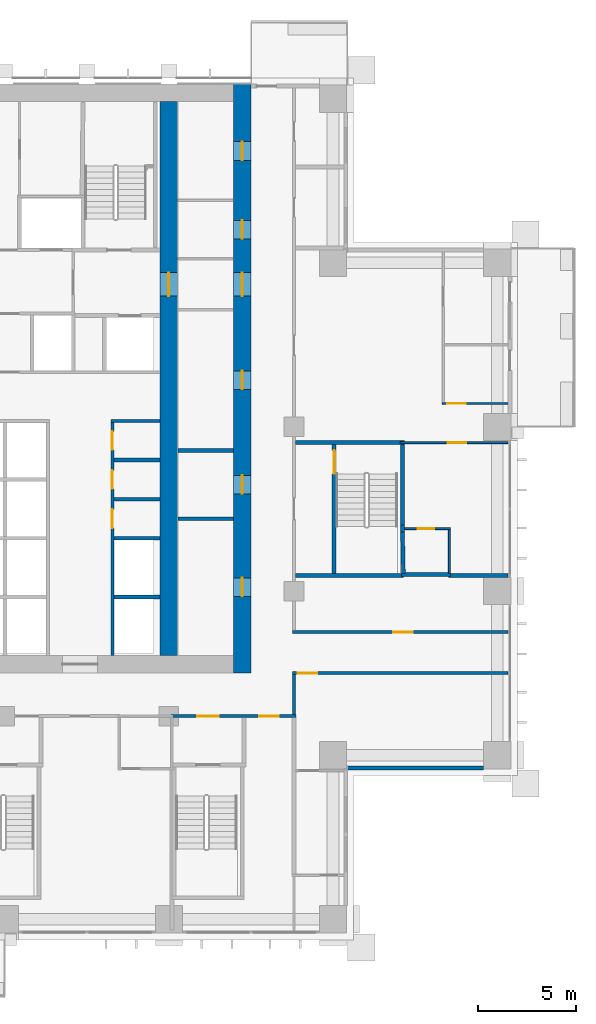
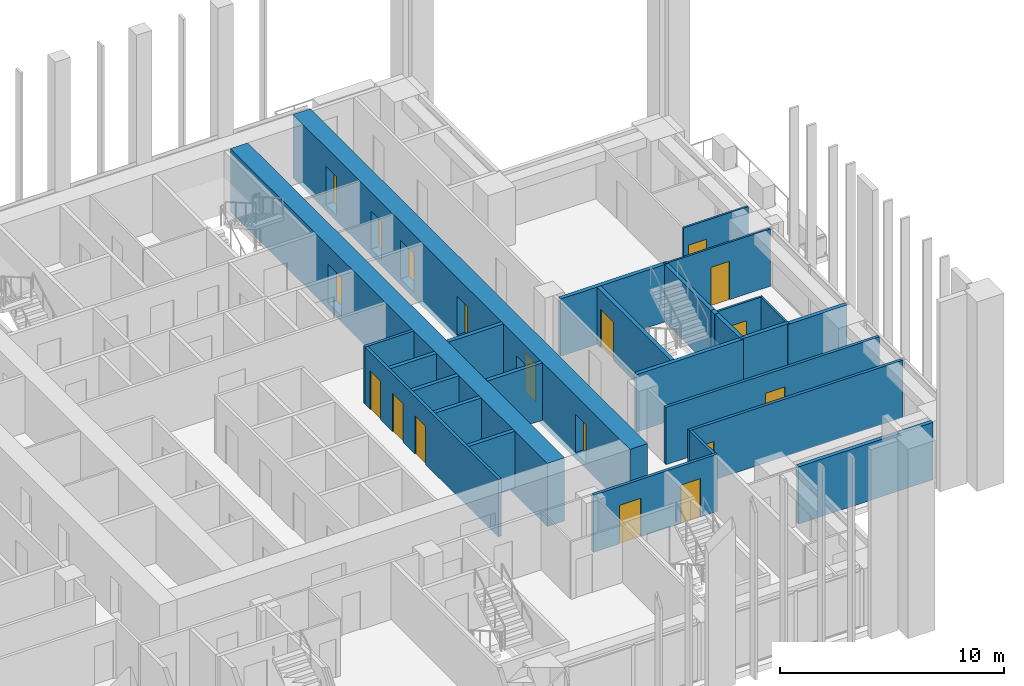
# One storey, part 9 of 17: 27 walls, 18 doors, 18 openings.
"""IFC4 building model written with IfcOpenShell, lengths in metres."""

from ifc_helpers import new_model, si_unit, direction, frame, frame_2d, origin, place, context, subcontext, project, spatial, rectangle, extrude, material, layer, layer_set, type_object, element, fill, save


model = new_model("IFC4")

# Units and contexts
model_context = context("Model", 3, precision=1e-05, world=origin(), true_north=direction((0.0, 1.0)))
body_context = subcontext(model_context, "Body", "Model", "MODEL_VIEW")
ifc_project = project(units=[si_unit("LENGTHUNIT", "METRE"), si_unit("AREAUNIT", "SQUARE_METRE"), si_unit("VOLUMEUNIT", "CUBIC_METRE"), si_unit("PLANEANGLEUNIT", "RADIAN"), si_unit("MASSUNIT", "GRAM", prefix="KILO")], contexts=[model_context])

# Site, building, storey
site_placement = place(None, origin())
site = spatial("IfcSite", under=ifc_project, at=site_placement, CompositionType="ELEMENT")
building_placement = place(site_placement, origin())
building = spatial("IfcBuilding", under=site, at=building_placement, Name="Vermilion Ogive Tower", CompositionType="ELEMENT")
storey_placement = place(building_placement, frame((0.0, 0.0, 37.949951171875)))
storey = spatial("IfcBuildingStorey", under=building, at=storey_placement, Name="L07", CompositionType="ELEMENT", Elevation=37.949951171875)

# Wall, openings, doors
ifc_material_1 = material(Name="Concrete B80", Category="concrete")
ifc_layer_1 = layer(ifc_material_1, 0.89990234375)
ifc_layer_set_1 = layer_set([ifc_layer_1], Name="Core wall 900 B80")
wall_type_1 = type_object("IfcWallType", Name="Core wall 900 B80", PredefinedType="SHEAR", material=ifc_layer_set_1)
wall_1_placement = place(storey_placement, frame((12.14990234375, -8.39990234375, -0.320068359375), z_axis=(0.0, 0.0, 1.0), x_axis=(0.0, 1.0, 0.0)))
wall_1 = element("IfcWall", 1, at=wall_1_placement, inside=storey, type_object=wall_type_1, Name="L07-CORE-E", PredefinedType="SHEAR", context=body_context, shape_type="SweptSolid", body=[
    extrude(rectangle(XDim=30.14990234375, YDim=0.89990234375, at=frame_2d((15.074951171875, 0.0))), origin(), (0.0, 0.0, 1.0), 3.4501953125),
])
opening_1_placement = place(wall_1_placement, frame((3.925048828125, 0.0, 0.320068359375)))
opening_1 = element("IfcOpeningElement", 2, at=opening_1_placement, cuts=wall_1, Name="Opening DAC007", PredefinedType="OPENING", context=body_context, shape_type="SweptSolid", body=[
    extrude(rectangle(XDim=0.949951171875, YDim=2.10009765625, at=frame_2d((0.47509765625, 1.050048828125))), frame((0.0, 0.4599609375, 0.0), z_axis=(0.0, -1.0, 0.0), x_axis=(1.0, 0.0, 0.0)), (0.0, 0.0, 1.0), 0.919921875),
])
opening_2_placement = place(wall_1_placement, frame((9.175048828125, 0.0, 0.320068359375)))
opening_2 = element("IfcOpeningElement", 3, at=opening_2_placement, cuts=wall_1, Name="Opening DAC008", PredefinedType="OPENING", context=body_context, shape_type="SweptSolid", body=[
    extrude(rectangle(XDim=0.949951171875, YDim=2.10009765625, at=frame_2d((0.47509765625, 1.050048828125))), frame((0.0, 0.4599609375, 0.0), z_axis=(0.0, -1.0, 0.0), x_axis=(1.0, 0.0, 0.0)), (0.0, 0.0, 1.0), 0.919921875),
])
opening_3_placement = place(wall_1_placement, frame((14.52490234375, 0.0, 0.320068359375)))
opening_3 = element("IfcOpeningElement", 4, at=opening_3_placement, cuts=wall_1, Name="Opening DAC009", PredefinedType="OPENING", context=body_context, shape_type="SweptSolid", body=[
    extrude(rectangle(XDim=0.949951171875, YDim=2.10009765625, at=frame_2d((0.47509765625, 1.050048828125))), frame((0.0, 0.4599609375, 0.0), z_axis=(0.0, -1.0, 0.0), x_axis=(1.0, 0.0, 0.0)), (0.0, 0.0, 1.0), 0.919921875),
])
opening_4_placement = place(wall_1_placement, frame((22.22509765625, 0.0, 0.320068359375)))
opening_4 = element("IfcOpeningElement", 5, at=opening_4_placement, cuts=wall_1, Name="Opening DAC010", PredefinedType="OPENING", context=body_context, shape_type="SweptSolid", body=[
    extrude(rectangle(XDim=0.949951171875, YDim=2.10009765625, at=frame_2d((0.47509765625, 1.050048828125))), frame((0.0, 0.4599609375, 0.0), z_axis=(0.0, -1.0, 0.0), x_axis=(1.0, 0.0, 0.0)), (0.0, 0.0, 1.0), 0.919921875),
])
opening_5_placement = place(wall_1_placement, frame((26.25, 0.0, 0.320068359375)))
opening_5 = element("IfcOpeningElement", 6, at=opening_5_placement, cuts=wall_1, Name="Opening DAC011", PredefinedType="OPENING", context=body_context, shape_type="SweptSolid", body=[
    extrude(rectangle(XDim=0.949951171875, YDim=2.10009765625, at=frame_2d((0.47509765625, 1.050048828125))), frame((0.0, 0.4599609375, 0.0), z_axis=(0.0, -1.0, 0.0), x_axis=(1.0, 0.0, 0.0)), (0.0, 0.0, 1.0), 0.919921875),
])
opening_6_placement = place(wall_1_placement, frame((19.300048828125, 0.0, 0.320068359375)))
opening_6 = element("IfcOpeningElement", 7, at=opening_6_placement, cuts=wall_1, Name="Opening DAL002", PredefinedType="OPENING", context=body_context, shape_type="SweptSolid", body=[
    extrude(rectangle(XDim=1.199951171875, YDim=2.10009765625, at=frame_2d((0.60009765625, 1.050048828125))), frame((0.0, 0.4599609375, 0.0), z_axis=(0.0, -1.0, 0.0), x_axis=(1.0, 0.0, 0.0)), (0.0, 0.0, 1.0), 0.919921875),
])
ifc_material_2 = material(Name="Timber door leaf", Category="wood")
door_type_1 = type_object("IfcDoorType", Name="Link door 1200 x 2100 FD60S", OperationType="SINGLE_SWING_LEFT", PredefinedType="DOOR", material=ifc_material_2)
door_1_placement = place(opening_6_placement, origin())
door_1 = element("IfcDoor", 8, at=door_1_placement, inside=storey, type_object=door_type_1, Name="L07-CKE-XL", OperationType="SINGLE_SWING_LEFT", OverallHeight=2.10009765625, OverallWidth=1.199951171875, PredefinedType="DOOR", context=body_context, shape_type="SweptSolid", body=[
    extrude(rectangle(XDim=1.199951171875, YDim=2.10009765625, at=frame_2d((0.60009765625, 1.050048828125))), frame((0.0, 0.02490234375, 0.0), z_axis=(0.0, -1.0, 0.0), x_axis=(1.0, 0.0, 0.0)), (0.0, 0.0, 1.0), 0.050048828125),
])
fill(opening_6, door_1)
ifc_material_3 = material(Name="Timber door leaf", Category="wood")
door_type_2 = type_object("IfcDoorType", Name="Service door 950 x 2100 FD60", OperationType="SINGLE_SWING_LEFT", PredefinedType="DOOR", material=ifc_material_3)
door_2_placement = place(opening_1_placement, origin())
door_2 = element("IfcDoor", 9, at=door_2_placement, inside=storey, type_object=door_type_2, Name="L07-CKE-XR0", OperationType="SINGLE_SWING_LEFT", OverallHeight=2.10009765625, OverallWidth=0.949951171875, PredefinedType="DOOR", context=body_context, shape_type="SweptSolid", body=[
    extrude(rectangle(XDim=0.949951171875, YDim=2.10009765625, at=frame_2d((0.47509765625, 1.050048828125))), frame((0.0, 0.02490234375, 0.0), z_axis=(0.0, -1.0, 0.0), x_axis=(1.0, 0.0, 0.0)), (0.0, 0.0, 1.0), 0.050048828125),
])
fill(opening_1, door_2)
door_3_placement = place(opening_2_placement, origin())
door_3 = element("IfcDoor", 10, at=door_3_placement, inside=storey, type_object=door_type_2, Name="L07-CKE-XR1", OperationType="SINGLE_SWING_LEFT", OverallHeight=2.10009765625, OverallWidth=0.949951171875, PredefinedType="DOOR", context=body_context, shape_type="SweptSolid", body=[
    extrude(rectangle(XDim=0.949951171875, YDim=2.10009765625, at=frame_2d((0.47509765625, 1.050048828125))), frame((0.0, 0.02490234375, 0.0), z_axis=(0.0, -1.0, 0.0), x_axis=(1.0, 0.0, 0.0)), (0.0, 0.0, 1.0), 0.050048828125),
])
fill(opening_2, door_3)
door_4_placement = place(opening_3_placement, origin())
door_4 = element("IfcDoor", 11, at=door_4_placement, inside=storey, type_object=door_type_2, Name="L07-CKE-XR2", OperationType="SINGLE_SWING_LEFT", OverallHeight=2.10009765625, OverallWidth=0.949951171875, PredefinedType="DOOR", context=body_context, shape_type="SweptSolid", body=[
    extrude(rectangle(XDim=0.949951171875, YDim=2.10009765625, at=frame_2d((0.47509765625, 1.050048828125))), frame((0.0, 0.02490234375, 0.0), z_axis=(0.0, -1.0, 0.0), x_axis=(1.0, 0.0, 0.0)), (0.0, 0.0, 1.0), 0.050048828125),
])
fill(opening_3, door_4)
door_5_placement = place(opening_4_placement, origin())
door_5 = element("IfcDoor", 12, at=door_5_placement, inside=storey, type_object=door_type_2, Name="L07-CKE-XR3", OperationType="SINGLE_SWING_LEFT", OverallHeight=2.10009765625, OverallWidth=0.949951171875, PredefinedType="DOOR", context=body_context, shape_type="SweptSolid", body=[
    extrude(rectangle(XDim=0.949951171875, YDim=2.10009765625, at=frame_2d((0.47509765625, 1.050048828125))), frame((0.0, 0.02490234375, 0.0), z_axis=(0.0, -1.0, 0.0), x_axis=(1.0, 0.0, 0.0)), (0.0, 0.0, 1.0), 0.050048828125),
])
fill(opening_4, door_5)
door_6_placement = place(opening_5_placement, origin())
door_6 = element("IfcDoor", 13, at=door_6_placement, inside=storey, type_object=door_type_2, Name="L07-CKE-XR4", OperationType="SINGLE_SWING_LEFT", OverallHeight=2.10009765625, OverallWidth=0.949951171875, PredefinedType="DOOR", context=body_context, shape_type="SweptSolid", body=[
    extrude(rectangle(XDim=0.949951171875, YDim=2.10009765625, at=frame_2d((0.47509765625, 1.050048828125))), frame((0.0, 0.02490234375, 0.0), z_axis=(0.0, -1.0, 0.0), x_axis=(1.0, 0.0, 0.0)), (0.0, 0.0, 1.0), 0.050048828125),
])
fill(opening_5, door_6)

# Wall, opening, door
wall_2_placement = place(storey_placement, frame((8.39990234375, -7.5, -0.320068359375), z_axis=(0.0, 0.0, 1.0), x_axis=(0.0, 1.0, 0.0)))
wall_2 = element("IfcWall", 14, at=wall_2_placement, inside=storey, type_object=wall_type_1, Name="L07-CORE-WEB2", PredefinedType="SHEAR", context=body_context, shape_type="SweptSolid", body=[
    extrude(rectangle(XDim=28.35009765625, YDim=0.89990234375, at=frame_2d((14.175048828125, 0.0))), origin(), (0.0, 0.0, 1.0), 3.4501953125),
])
opening_7_placement = place(wall_2_placement, frame((18.39990234375, 0.0, 0.320068359375)))
opening_7 = element("IfcOpeningElement", 15, at=opening_7_placement, cuts=wall_2, Name="Opening DAO002", PredefinedType="OPENING", context=body_context, shape_type="SweptSolid", body=[
    extrude(rectangle(XDim=1.199951171875, YDim=2.10009765625, at=frame_2d((0.60009765625, 1.050048828125))), frame((0.0, 0.4599609375, 0.0), z_axis=(0.0, -1.0, 0.0), x_axis=(1.0, 0.0, 0.0)), (0.0, 0.0, 1.0), 0.919921875),
])
door_7_placement = place(opening_7_placement, origin())
door_7 = element("IfcDoor", 16, at=door_7_placement, inside=storey, type_object=door_type_1, Name="L07-CKE-XW", OperationType="SINGLE_SWING_LEFT", OverallHeight=2.10009765625, OverallWidth=1.199951171875, PredefinedType="DOOR", context=body_context, shape_type="SweptSolid", body=[
    extrude(rectangle(XDim=1.199951171875, YDim=2.10009765625, at=frame_2d((0.60009765625, 1.050048828125))), frame((0.0, 0.02490234375, 0.0), z_axis=(0.0, -1.0, 0.0), x_axis=(1.0, 0.0, 0.0)), (0.0, 0.0, 1.0), 0.050048828125),
])
fill(opening_7, door_7)

ifc_material_4 = material(Name="Gypsum board partition on steel studs", Category="steel")
ifc_layer_2 = layer(ifc_material_4, 0.10009765625)
ifc_layer_set_2 = layer_set([ifc_layer_2], Name="Partition 100 bath")
wall_type_2 = type_object("IfcWallType", Name="Partition 100 bath", PredefinedType="PARTITIONING", material=ifc_layer_set_2)
wall_3_placement = place(storey_placement, frame((20.449951171875, -1.0, 0.0), z_axis=(0.0, 0.0, 1.0), x_axis=(1.0, 0.0, 0.0)))
wall_3 = element("IfcWall", 17, at=wall_3_placement, inside=storey, type_object=wall_type_2, Name="L07-W-W027", PredefinedType="PARTITIONING", context=body_context, shape_type="SweptSolid", body=[
    extrude(rectangle(XDim=2.35009765625, YDim=0.10009765625, at=frame_2d((1.175048828125, 0.0))), origin(), (0.0, 0.0, 1.0), 3.130126953125),
])
opening_8_placement = place(wall_3_placement, frame((0.675048828125, 0.0, 0.0)))
opening_8 = element("IfcOpeningElement", 18, at=opening_8_placement, cuts=wall_3, Name="Opening D1G2022", PredefinedType="OPENING", context=body_context, shape_type="SweptSolid", body=[
    extrude(rectangle(XDim=0.85009765625, YDim=2.10009765625, at=frame_2d((0.425048828125, 1.050048828125))), frame((0.0, 0.06005859375, 0.0), z_axis=(0.0, -1.0, 0.0), x_axis=(1.0, 0.0, 0.0)), (0.0, 0.0, 1.0), 0.1201171875),
])
ifc_material_5 = material(Name="Timber door leaf", Category="wood")
door_type_3 = type_object("IfcDoorType", Name="Bath door 850 x 2100 FD30", OperationType="SINGLE_SWING_LEFT", PredefinedType="DOOR", material=ifc_material_5)
door_8_placement = place(opening_8_placement, origin())
door_8 = element("IfcDoor", 19, at=door_8_placement, inside=storey, type_object=door_type_3, Name="L07-D-D022", OperationType="SINGLE_SWING_RIGHT", OverallHeight=2.10009765625, OverallWidth=0.85009765625, PredefinedType="DOOR", context=body_context, shape_type="SweptSolid", body=[
    extrude(rectangle(XDim=0.85009765625, YDim=2.10009765625, at=frame_2d((0.425048828125, 1.050048828125))), frame((0.0, 0.02490234375, 0.0), z_axis=(0.0, -1.0, 0.0), x_axis=(1.0, 0.0, 0.0)), (0.0, 0.0, 1.0), 0.050048828125),
])
fill(opening_8, door_8)

# Wall
wall_4_placement = place(storey_placement, frame((22.75, -3.300048828125, 0.0), z_axis=(0.0, 0.0, 1.0), x_axis=(0.0, 1.0, 0.0)))
element("IfcWall", 20, at=wall_4_placement, inside=storey, type_object=wall_type_2, Name="L07-W-W073", PredefinedType="PARTITIONING", context=body_context, shape_type="SweptSolid", body=[
    extrude(rectangle(XDim=2.25, YDim=0.10009765625, at=frame_2d((1.125, 0.0))), origin(), (0.0, 0.0, 1.0), 3.130126953125),
])

# Wall, opening, door
ifc_material_6 = material(Name="Gypsum board partition on steel studs", Category="steel")
ifc_layer_3 = layer(ifc_material_6, 0.10009765625)
ifc_layer_set_3 = layer_set([ifc_layer_3], Name="Partition 100 inner")
wall_type_3 = type_object("IfcWallType", Name="Partition 100 inner", PredefinedType="PARTITIONING", material=ifc_layer_set_3)
wall_5_placement = place(storey_placement, frame((20.25, 3.39990234375, 0.0), z_axis=(0.0, 0.0, 1.0), x_axis=(1.0, 0.0, 0.0)))
wall_5 = element("IfcWall", 21, at=wall_5_placement, inside=storey, type_object=wall_type_3, Name="L07-W-W032", PredefinedType="PARTITIONING", context=body_context, shape_type="SweptSolid", body=[
    extrude(rectangle(XDim=5.5, YDim=0.10009765625, at=frame_2d((2.75, 0.0))), origin(), (0.0, 0.0, 1.0), 3.130126953125),
])
opening_9_placement = place(wall_5_placement, frame((2.425048828125, 0.0, 0.0)))
opening_9 = element("IfcOpeningElement", 22, at=opening_9_placement, cuts=wall_5, Name="Opening D1G2021", PredefinedType="OPENING", context=body_context, shape_type="SweptSolid", body=[
    extrude(rectangle(XDim=0.949951171875, YDim=2.10009765625, at=frame_2d((0.47509765625, 1.050048828125))), frame((0.0, 0.06005859375, 0.0), z_axis=(0.0, -1.0, 0.0), x_axis=(1.0, 0.0, 0.0)), (0.0, 0.0, 1.0), 0.1201171875),
])
ifc_material_7 = material(Name="Timber door leaf", Category="wood")
door_type_4 = type_object("IfcDoorType", Name="Inner door 950 x 2100 FD30", OperationType="SINGLE_SWING_LEFT", PredefinedType="DOOR", material=ifc_material_7)
door_9_placement = place(opening_9_placement, origin())
door_9 = element("IfcDoor", 23, at=door_9_placement, inside=storey, type_object=door_type_4, Name="L07-D-D021", OperationType="SINGLE_SWING_LEFT", OverallHeight=2.10009765625, OverallWidth=0.949951171875, PredefinedType="DOOR", context=body_context, shape_type="SweptSolid", body=[
    extrude(rectangle(XDim=0.949951171875, YDim=2.10009765625, at=frame_2d((0.47509765625, 1.050048828125))), frame((0.0, 0.02490234375, 0.0), z_axis=(0.0, -1.0, 0.0), x_axis=(1.0, 0.0, 0.0)), (0.0, 0.0, 1.0), 0.050048828125),
])
fill(opening_9, door_9)

wall_6_placement = place(storey_placement, frame((22.39990234375, 5.39990234375, 0.0), z_axis=(0.0, 0.0, 1.0), x_axis=(1.0, 0.0, 0.0)))
wall_6 = element("IfcWall", 24, at=wall_6_placement, inside=storey, type_object=wall_type_3, Name="L07-W-W034", PredefinedType="PARTITIONING", context=body_context, shape_type="SweptSolid", body=[
    extrude(rectangle(XDim=3.35009765625, YDim=0.10009765625, at=frame_2d((1.675048828125, 0.0))), origin(), (0.0, 0.0, 1.0), 3.130126953125),
])
opening_10_placement = place(wall_6_placement, frame((0.25, 0.0, 0.0)))
opening_10 = element("IfcOpeningElement", 25, at=opening_10_placement, cuts=wall_6, Name="Opening D1G2018", PredefinedType="OPENING", context=body_context, shape_type="SweptSolid", body=[
    extrude(rectangle(XDim=0.949951171875, YDim=2.10009765625, at=frame_2d((0.47509765625, 1.050048828125))), frame((0.0, 0.06005859375, 0.0), z_axis=(0.0, -1.0, 0.0), x_axis=(1.0, 0.0, 0.0)), (0.0, 0.0, 1.0), 0.1201171875),
])
door_10_placement = place(opening_10_placement, origin())
door_10 = element("IfcDoor", 26, at=door_10_placement, inside=storey, type_object=door_type_4, Name="L07-D-D018", OperationType="SINGLE_SWING_LEFT", OverallHeight=2.10009765625, OverallWidth=0.949951171875, PredefinedType="DOOR", context=body_context, shape_type="SweptSolid", body=[
    extrude(rectangle(XDim=0.949951171875, YDim=2.10009765625, at=frame_2d((0.47509765625, 1.050048828125))), frame((0.0, 0.02490234375, 0.0), z_axis=(0.0, -1.0, 0.0), x_axis=(1.0, 0.0, 0.0)), (0.0, 0.0, 1.0), 0.050048828125),
])
fill(opening_10, door_10)

# Wall, openings, doors
ifc_material_8 = material(Name="Gypsum board partition on steel studs", Category="steel")
ifc_layer_4 = layer(ifc_material_8, 0.14990234375)
ifc_layer_set_4 = layer_set([ifc_layer_4], Name="Partition 150 corridor")
wall_type_4 = type_object("IfcWallType", Name="Partition 150 corridor", PredefinedType="PARTITIONING", material=ifc_layer_set_4)
wall_7_placement = place(storey_placement, frame((8.5, -10.60009765625, 0.0), z_axis=(0.0, 0.0, 1.0), x_axis=(1.0, 0.0, 0.0)))
wall_7 = element("IfcWall", 27, at=wall_7_placement, inside=storey, type_object=wall_type_4, Name="L07-W-W017", PredefinedType="PARTITIONING", context=body_context, shape_type="SweptSolid", body=[
    extrude(rectangle(XDim=6.39990234375, YDim=0.14990234375, at=frame_2d((3.199951171875, 0.0))), origin(), (0.0, 0.0, 1.0), 3.130126953125),
])
opening_11_placement = place(wall_7_placement, frame((1.35009765625, 0.0, 0.0)))
opening_11 = element("IfcOpeningElement", 28, at=opening_11_placement, cuts=wall_7, Name="Opening D1G2029", PredefinedType="OPENING", context=body_context, shape_type="SweptSolid", body=[
    extrude(rectangle(XDim=1.10009765625, YDim=2.10009765625, at=frame_2d((0.550048828125, 1.050048828125))), frame((0.0, 0.0849609375, 0.0), z_axis=(0.0, -1.0, 0.0), x_axis=(1.0, 0.0, 0.0)), (0.0, 0.0, 1.0), 0.169921875),
])
opening_12_placement = place(wall_7_placement, frame((4.52490234375, 0.0, 0.0)))
opening_12 = element("IfcOpeningElement", 29, at=opening_12_placement, cuts=wall_7, Name="Opening D1G2036", PredefinedType="OPENING", context=body_context, shape_type="SweptSolid", body=[
    extrude(rectangle(XDim=1.0, YDim=2.10009765625, at=frame_2d((0.5, 1.050048828125))), frame((0.0, 0.0849609375, 0.0), z_axis=(0.0, -1.0, 0.0), x_axis=(1.0, 0.0, 0.0)), (0.0, 0.0, 1.0), 0.169921875),
])
ifc_material_9 = material(Name="Timber door leaf", Category="wood")
door_type_5 = type_object("IfcDoorType", Name="Stair door 1100 x 2100 FD60S", OperationType="SINGLE_SWING_LEFT", PredefinedType="DOOR", material=ifc_material_9)
door_11_placement = place(opening_11_placement, origin())
door_11 = element("IfcDoor", 30, at=door_11_placement, inside=storey, type_object=door_type_5, Name="L07-D-D029", OperationType="SINGLE_SWING_RIGHT", OverallHeight=2.10009765625, OverallWidth=1.10009765625, PredefinedType="DOOR", context=body_context, shape_type="SweptSolid", body=[
    extrude(rectangle(XDim=1.10009765625, YDim=2.10009765625, at=frame_2d((0.550048828125, 1.050048828125))), frame((0.0, 0.02490234375, 0.0), z_axis=(0.0, -1.0, 0.0), x_axis=(1.0, 0.0, 0.0)), (0.0, 0.0, 1.0), 0.050048828125),
])
fill(opening_11, door_11)
ifc_material_10 = material(Name="Timber door leaf", Category="wood")
door_type_6 = type_object("IfcDoorType", Name="Unit door 1000 x 2100 FD30S", OperationType="SINGLE_SWING_LEFT", PredefinedType="DOOR", material=ifc_material_10)
door_12_placement = place(opening_12_placement, origin())
door_12 = element("IfcDoor", 31, at=door_12_placement, inside=storey, type_object=door_type_6, Name="L07-D-D036", OperationType="SINGLE_SWING_RIGHT", OverallHeight=2.10009765625, OverallWidth=1.0, PredefinedType="DOOR", context=body_context, shape_type="SweptSolid", body=[
    extrude(rectangle(XDim=1.0, YDim=2.10009765625, at=frame_2d((0.5, 1.050048828125))), frame((0.0, 0.02490234375, 0.0), z_axis=(0.0, -1.0, 0.0), x_axis=(1.0, 0.0, 0.0)), (0.0, 0.0, 1.0), 0.050048828125),
])
fill(opening_12, door_12)

# Wall, opening, door
wall_8_placement = place(storey_placement, frame((14.72509765625, -8.39990234375, 0.0), z_axis=(0.0, 0.0, 1.0), x_axis=(1.0, 0.0, 0.0)))
wall_8 = element("IfcWall", 32, at=wall_8_placement, inside=storey, type_object=wall_type_4, Name="L07-W-W019", PredefinedType="PARTITIONING", context=body_context, shape_type="SweptSolid", body=[
    extrude(rectangle(XDim=11.02490234375, YDim=0.14990234375, at=frame_2d((5.512451171875, 0.0))), origin(), (0.0, 0.0, 1.0), 3.130126953125),
])
opening_13_placement = place(wall_8_placement, frame((0.27490234375, 0.0, 0.0)))
opening_13 = element("IfcOpeningElement", 33, at=opening_13_placement, cuts=wall_8, Name="Opening D1G2015", PredefinedType="OPENING", context=body_context, shape_type="SweptSolid", body=[
    extrude(rectangle(XDim=1.0, YDim=2.10009765625, at=frame_2d((0.5, 1.050048828125))), frame((0.0, 0.0849609375, 0.0), z_axis=(0.0, -1.0, 0.0), x_axis=(1.0, 0.0, 0.0)), (0.0, 0.0, 1.0), 0.169921875),
])
door_13_placement = place(opening_13_placement, origin())
door_13 = element("IfcDoor", 34, at=door_13_placement, inside=storey, type_object=door_type_6, Name="L07-D-D015", OperationType="SINGLE_SWING_RIGHT", OverallHeight=2.10009765625, OverallWidth=1.0, PredefinedType="DOOR", context=body_context, shape_type="SweptSolid", body=[
    extrude(rectangle(XDim=1.0, YDim=2.10009765625, at=frame_2d((0.5, 1.050048828125))), frame((0.0, 0.02490234375, 0.0), z_axis=(0.0, -1.0, 0.0), x_axis=(1.0, 0.0, 0.0)), (0.0, 0.0, 1.0), 0.050048828125),
])
fill(opening_13, door_13)

wall_9_placement = place(storey_placement, frame((14.72509765625, -6.300048828125, 0.0), z_axis=(0.0, 0.0, 1.0), x_axis=(1.0, 0.0, 0.0)))
wall_9 = element("IfcWall", 35, at=wall_9_placement, inside=storey, type_object=wall_type_4, Name="L07-W-W021", PredefinedType="PARTITIONING", context=body_context, shape_type="SweptSolid", body=[
    extrude(rectangle(XDim=11.02490234375, YDim=0.14990234375, at=frame_2d((5.512451171875, 0.0))), origin(), (0.0, 0.0, 1.0), 3.130126953125),
])
opening_14_placement = place(wall_9_placement, frame((5.14990234375, 0.0, 0.0)))
opening_14 = element("IfcOpeningElement", 36, at=opening_14_placement, cuts=wall_9, Name="Opening D1G2038", PredefinedType="OPENING", context=body_context, shape_type="SweptSolid", body=[
    extrude(rectangle(XDim=1.0, YDim=2.10009765625, at=frame_2d((0.5, 1.050048828125))), frame((0.0, 0.0849609375, 0.0), z_axis=(0.0, -1.0, 0.0), x_axis=(1.0, 0.0, 0.0)), (0.0, 0.0, 1.0), 0.169921875),
])
door_14_placement = place(opening_14_placement, origin())
door_14 = element("IfcDoor", 37, at=door_14_placement, inside=storey, type_object=door_type_6, Name="L07-D-D038", OperationType="SINGLE_SWING_RIGHT", OverallHeight=2.10009765625, OverallWidth=1.0, PredefinedType="DOOR", context=body_context, shape_type="SweptSolid", body=[
    extrude(rectangle(XDim=1.0, YDim=2.10009765625, at=frame_2d((0.5, 1.050048828125))), frame((0.0, 0.02490234375, 0.0), z_axis=(0.0, -1.0, 0.0), x_axis=(1.0, 0.0, 0.0)), (0.0, 0.0, 1.0), 0.050048828125),
])
fill(opening_14, door_14)

# Walls
wall_10_placement = place(storey_placement, frame((14.800048828125, -10.52490234375, 0.0), z_axis=(0.0, 0.0, 1.0), x_axis=(0.0, 1.0, 0.0)))
element("IfcWall", 38, at=wall_10_placement, inside=storey, type_object=wall_type_4, Name="L07-W-W067", PredefinedType="PARTITIONING", context=body_context, shape_type="SweptSolid", body=[
    extrude(rectangle(XDim=2.0498046875, YDim=0.14990234375, at=frame_2d((1.02490234375, 0.0))), origin(), (0.0, 0.0, 1.0), 3.130126953125),
])
wall_11_placement = place(storey_placement, frame((5.425048828125, 4.5, 0.0), z_axis=(0.0, 0.0, 1.0), x_axis=(1.0, 0.0, 0.0)))
element("IfcWall", 39, at=wall_11_placement, inside=storey, type_object=wall_type_4, Name="L07-CK-W-W013", PredefinedType="PARTITIONING", context=body_context, shape_type="SweptSolid", body=[
    extrude(rectangle(XDim=2.52392578125, YDim=0.14990234375, at=frame_2d((1.261962890625, 0.0))), origin(), (0.0, 0.0, 1.0), 3.130126953125),
])

# Wall, openings, doors
wall_12_placement = place(storey_placement, frame((5.5, -7.4990234375, 0.0), z_axis=(0.0, 0.0, 1.0), x_axis=(0.0, 1.0, 0.0)))
wall_12 = element("IfcWall", 40, at=wall_12_placement, inside=storey, type_object=wall_type_4, Name="L07-CK-W-W041", PredefinedType="PARTITIONING", context=body_context, shape_type="SweptSolid", body=[
    extrude(rectangle(XDim=11.924072265625, YDim=0.14990234375, at=frame_2d((5.9619140625, 0.0))), origin(), (0.0, 0.0, 1.0), 3.130126953125),
])
opening_15_placement = place(wall_12_placement, frame((6.52392578125, 0.0, 0.0)))
opening_15 = element("IfcOpeningElement", 41, at=opening_15_placement, cuts=wall_12, Name="Opening DAA027", PredefinedType="OPENING", context=body_context, shape_type="SweptSolid", body=[
    extrude(rectangle(XDim=0.949951171875, YDim=2.10009765625, at=frame_2d((0.47509765625, 1.050048828125))), frame((0.0, 0.0849609375, 0.0), z_axis=(0.0, -1.0, 0.0), x_axis=(1.0, 0.0, 0.0)), (0.0, 0.0, 1.0), 0.169921875),
])
opening_16_placement = place(wall_12_placement, frame((8.52392578125, 0.0, 0.0)))
opening_16 = element("IfcOpeningElement", 42, at=opening_16_placement, cuts=wall_12, Name="Opening DAA028", PredefinedType="OPENING", context=body_context, shape_type="SweptSolid", body=[
    extrude(rectangle(XDim=0.949951171875, YDim=2.10009765625, at=frame_2d((0.47509765625, 1.050048828125))), frame((0.0, 0.0849609375, 0.0), z_axis=(0.0, -1.0, 0.0), x_axis=(1.0, 0.0, 0.0)), (0.0, 0.0, 1.0), 0.169921875),
])
opening_17_placement = place(wall_12_placement, frame((10.52392578125, 0.0, 0.0)))
opening_17 = element("IfcOpeningElement", 43, at=opening_17_placement, cuts=wall_12, Name="Opening DAA029", PredefinedType="OPENING", context=body_context, shape_type="SweptSolid", body=[
    extrude(rectangle(XDim=0.949951171875, YDim=2.10009765625, at=frame_2d((0.47509765625, 1.050048828125))), frame((0.0, 0.0849609375, 0.0), z_axis=(0.0, -1.0, 0.0), x_axis=(1.0, 0.0, 0.0)), (0.0, 0.0, 1.0), 0.169921875),
])
door_15_placement = place(opening_15_placement, origin())
door_15 = element("IfcDoor", 44, at=door_15_placement, inside=storey, type_object=door_type_2, Name="L07-CK-D-D009", OperationType="SINGLE_SWING_RIGHT", OverallHeight=2.10009765625, OverallWidth=0.949951171875, PredefinedType="DOOR", context=body_context, shape_type="SweptSolid", body=[
    extrude(rectangle(XDim=0.949951171875, YDim=2.10009765625, at=frame_2d((0.47509765625, 1.050048828125))), frame((0.0, 0.02490234375, 0.0), z_axis=(0.0, -1.0, 0.0), x_axis=(1.0, 0.0, 0.0)), (0.0, 0.0, 1.0), 0.050048828125),
])
fill(opening_15, door_15)
door_16_placement = place(opening_16_placement, origin())
door_16 = element("IfcDoor", 45, at=door_16_placement, inside=storey, type_object=door_type_2, Name="L07-CK-D-D010", OperationType="SINGLE_SWING_LEFT", OverallHeight=2.10009765625, OverallWidth=0.949951171875, PredefinedType="DOOR", context=body_context, shape_type="SweptSolid", body=[
    extrude(rectangle(XDim=0.949951171875, YDim=2.10009765625, at=frame_2d((0.47509765625, 1.050048828125))), frame((0.0, 0.02490234375, 0.0), z_axis=(0.0, -1.0, 0.0), x_axis=(1.0, 0.0, 0.0)), (0.0, 0.0, 1.0), 0.050048828125),
])
fill(opening_16, door_16)
door_17_placement = place(opening_17_placement, origin())
door_17 = element("IfcDoor", 46, at=door_17_placement, inside=storey, type_object=door_type_2, Name="L07-CK-D-D011", OperationType="SINGLE_SWING_RIGHT", OverallHeight=2.10009765625, OverallWidth=0.949951171875, PredefinedType="DOOR", context=body_context, shape_type="SweptSolid", body=[
    extrude(rectangle(XDim=0.949951171875, YDim=2.10009765625, at=frame_2d((0.47509765625, 1.050048828125))), frame((0.0, 0.02490234375, 0.0), z_axis=(0.0, -1.0, 0.0), x_axis=(1.0, 0.0, 0.0)), (0.0, 0.0, 1.0), 0.050048828125),
])
fill(opening_17, door_17)

# Walls
ifc_material_11 = material(Name="Gypsum board partition on steel studs", Category="steel")
ifc_layer_5 = layer(ifc_material_11, 0.199951171875)
ifc_layer_set_5 = layer_set([ifc_layer_5], Name="Partition 200 party")
wall_type_5 = type_object("IfcWallType", Name="Partition 200 party", PredefinedType="PARTITIONING", material=ifc_layer_set_5)
wall_13_placement = place(storey_placement, frame((22.699951171875, -3.39990234375, 0.0), z_axis=(0.0, 0.0, 1.0), x_axis=(1.0, 0.0, 0.0)))
element("IfcWall", 47, at=wall_13_placement, inside=storey, type_object=wall_type_5, Name="L07-W-W026", PredefinedType="PARTITIONING", context=body_context, shape_type="SweptSolid", body=[
    extrude(rectangle(XDim=3.050048828125, YDim=0.199951171875, at=frame_2d((1.52490234375, 0.0))), origin(), (0.0, 0.0, 1.0), 3.130126953125),
])
for number, where, z_axis, x_axis, name in (
    (48, (5.574951171875, -4.5, 0.0), (0.0, 0.0, 1.0), (1.0, 0.0, 0.0), "L07-CK-W-W003"),
    (49, (5.574951171875, -1.5, 0.0), (0.0, 0.0, 1.0), (1.0, 0.0, 0.0), "L07-CK-W-W006"),
    (50, (5.574951171875, 0.5, 0.0), (0.0, 0.0, 1.0), (1.0, 0.0, 0.0), "L07-CK-W-W007"),
    (51, (5.574951171875, 2.5, 0.0), (0.0, 0.0, 1.0), (1.0, 0.0, 0.0), "L07-CK-W-W010"),
):
    element("IfcWall", number, at=place(storey_placement, frame(where, z_axis=z_axis, x_axis=x_axis)), inside=storey, type_object=wall_type_5, Name=name, PredefinedType="PARTITIONING", context=body_context, shape_type="SweptSolid", body=[
        extrude(rectangle(XDim=2.3740234375, YDim=0.199951171875, at=frame_2d((1.18701171875, 0.0))), origin(), (0.0, 0.0, 1.0), 3.130126953125),
    ])
for number, where, z_axis, x_axis, name in (
    (52, (8.85107421875, -0.5, 0.0), (0.0, 0.0, 1.0), (1.0, 0.0, 0.0), "L07-CKE-W-W001"),
    (53, (8.85107421875, 3.0, 0.0), (0.0, 0.0, 1.0), (1.0, 0.0, 0.0), "L07-CKE-W-W002"),
):
    element("IfcWall", number, at=place(storey_placement, frame(where, z_axis=z_axis, x_axis=x_axis)), inside=storey, type_object=wall_type_5, Name=name, PredefinedType="PARTITIONING", context=body_context, shape_type="SweptSolid", body=[
        extrude(rectangle(XDim=2.847900390625, YDim=0.199951171875, at=frame_2d((1.423828125, 0.0))), origin(), (0.0, 0.0, 1.0), 3.130126953125),
    ])
ifc_material_12 = material(Name="Concrete B60", Category="concrete")
ifc_layer_6 = layer(ifc_material_12, 0.199951171875)
ifc_layer_set_6 = layer_set([ifc_layer_6], Name="Stair shaft wall 200 Concrete B60")
wall_type_6 = type_object("IfcWallType", Name="Stair shaft wall 200 Concrete B60", PredefinedType="SOLIDWALL", material=ifc_layer_set_6)
wall_14_placement = place(storey_placement, frame((14.875, -3.39990234375, 0.0), z_axis=(0.0, 0.0, 1.0), x_axis=(1.0, 0.0, 0.0)))
element("IfcWall", 54, at=wall_14_placement, inside=storey, type_object=wall_type_6, Name="L07-W-W024", PredefinedType="SOLIDWALL", context=body_context, shape_type="SweptSolid", body=[
    extrude(rectangle(XDim=5.52490234375, YDim=0.199951171875, at=frame_2d((2.762451171875, 0.0))), origin(), (0.0, 0.0, 1.0), 3.130126953125),
])
wall_15_placement = place(storey_placement, frame((20.300048828125, -3.349853515625, 0.0), z_axis=(0.0, 0.0, 1.0), x_axis=(1.0, 0.0, 0.0)))
element("IfcWall", 55, at=wall_15_placement, inside=storey, type_object=wall_type_6, Name="L07-W-W025", PredefinedType="SOLIDWALL", context=body_context, shape_type="SweptSolid", body=[
    extrude(rectangle(XDim=2.5, YDim=0.199951171875, at=frame_2d((1.25, 0.0))), origin(), (0.0, 0.0, 1.0), 3.130126953125),
])
wall_16_placement = place(storey_placement, frame((14.875, 3.39990234375, 0.0), z_axis=(0.0, 0.0, 1.0), x_axis=(1.0, 0.0, 0.0)))
element("IfcWall", 56, at=wall_16_placement, inside=storey, type_object=wall_type_6, Name="L07-W-W031", PredefinedType="SOLIDWALL", context=body_context, shape_type="SweptSolid", body=[
    extrude(rectangle(XDim=5.574951171875, YDim=0.199951171875, at=frame_2d((2.78759765625, 0.0))), origin(), (0.0, 0.0, 1.0), 3.130126953125),
])

# Wall, opening, door
wall_17_placement = place(storey_placement, frame((16.85009765625, -3.300048828125, 0.0), z_axis=(0.0, 0.0, 1.0), x_axis=(0.0, 1.0, 0.0)))
wall_17 = element("IfcWall", 57, at=wall_17_placement, inside=storey, type_object=wall_type_6, Name="L07-W-W069", PredefinedType="SOLIDWALL", context=body_context, shape_type="SweptSolid", body=[
    extrude(rectangle(XDim=6.60009765625, YDim=0.199951171875, at=frame_2d((3.300048828125, 0.0))), origin(), (0.0, 0.0, 1.0), 3.130126953125),
])
opening_18_placement = place(wall_17_placement, frame((5.10009765625, 0.0, 0.0)))
opening_18 = element("IfcOpeningElement", 58, at=opening_18_placement, cuts=wall_17, Name="Opening D1G2032", PredefinedType="OPENING", context=body_context, shape_type="SweptSolid", body=[
    extrude(rectangle(XDim=1.199951171875, YDim=2.10009765625, at=frame_2d((0.60009765625, 1.050048828125))), frame((0.0, 0.10986328125, 0.0), z_axis=(0.0, -1.0, 0.0), x_axis=(1.0, 0.0, 0.0)), (0.0, 0.0, 1.0), 0.219970703125),
])
ifc_material_13 = material(Name="Timber door leaf", Category="wood")
door_type_7 = type_object("IfcDoorType", Name="Stair door 1200 x 2100 FD60S", OperationType="SINGLE_SWING_LEFT", PredefinedType="DOOR", material=ifc_material_13)
door_18_placement = place(opening_18_placement, origin())
door_18 = element("IfcDoor", 59, at=door_18_placement, inside=storey, type_object=door_type_7, Name="L07-D-D032", OperationType="SINGLE_SWING_LEFT", OverallHeight=2.10009765625, OverallWidth=1.199951171875, PredefinedType="DOOR", context=body_context, shape_type="SweptSolid", body=[
    extrude(rectangle(XDim=1.199951171875, YDim=2.10009765625, at=frame_2d((0.60009765625, 1.050048828125))), frame((0.0, 0.02490234375, 0.0), z_axis=(0.0, -1.0, 0.0), x_axis=(1.0, 0.0, 0.0)), (0.0, 0.0, 1.0), 0.050048828125),
])
fill(opening_18, door_18)

# Walls
wall_18_placement = place(storey_placement, frame((20.400146484375, -3.300048828125, 0.0), z_axis=(0.0, 0.0, 1.0), x_axis=(-0.021771342749, 0.999762976227, 0.0)))
element("IfcWall", 60, at=wall_18_placement, inside=storey, type_object=wall_type_6, Name="L07-W-W070", PredefinedType="SOLIDWALL", context=body_context, shape_type="SweptSolid", body=[
    extrude(rectangle(XDim=2.130615234375, YDim=0.199951171875, at=frame_2d((1.0654296875, 0.0))), origin(), (0.0, 0.0, 1.0), 3.130126953125),
])
wall_19_placement = place(storey_placement, frame((20.35009765625, -0.830078125, 0.0), z_axis=(0.0, 0.0, 1.0), x_axis=(0.0, 1.0, 0.0)))
element("IfcWall", 61, at=wall_19_placement, inside=storey, type_object=wall_type_6, Name="L07-W-W071", PredefinedType="SOLIDWALL", context=body_context, shape_type="SweptSolid", body=[
    extrude(rectangle(XDim=4.130126953125, YDim=0.199951171875, at=frame_2d((2.06494140625, 0.0))), origin(), (0.0, 0.0, 1.0), 3.130126953125),
])
wall_20_placement = place(storey_placement, frame((20.35009765625, -1.169921875, 0.0), z_axis=(0.0, 0.0, 1.0), x_axis=(0.0, 1.0, 0.0)))
element("IfcWall", 62, at=wall_20_placement, inside=storey, type_object=wall_type_6, Name="L07-SW-ST8-E1", PredefinedType="SOLIDWALL", context=body_context, shape_type="SweptSolid", body=[
    extrude(rectangle(XDim=0.33984375, YDim=0.199951171875, at=frame_2d((0.169921875, 0.0))), origin(), (0.0, 0.0, 1.0), 3.130126953125),
])
ifc_material_14 = material(Name="Aluminium window wall framing", Category="aluminium")
ifc_layer_7 = layer(ifc_material_14, 0.199951171875)
ifc_layer_set_7 = layer_set([ifc_layer_7], Name="Window wall")
wall_type_7 = type_object("IfcWallType", Name="Window wall", PredefinedType="STANDARD", material=ifc_layer_set_7)
wall_21_placement = place(storey_placement, frame((17.550048828125, -13.25, 0.0), z_axis=(0.0, 0.0, 1.0), x_axis=(1.0, 0.0, 0.0)))
element("IfcWall", 63, at=wall_21_placement, inside=storey, type_object=wall_type_7, Name="Window wall X21", PredefinedType="STANDARD", context=body_context, shape_type="SweptSolid", body=[
    extrude(rectangle(XDim=6.949951171875, YDim=0.199951171875, at=frame_2d((3.47509765625, 0.0))), origin(), (0.0, 0.0, 1.0), 3.130126953125),
])

save(model, "model.ifc")
